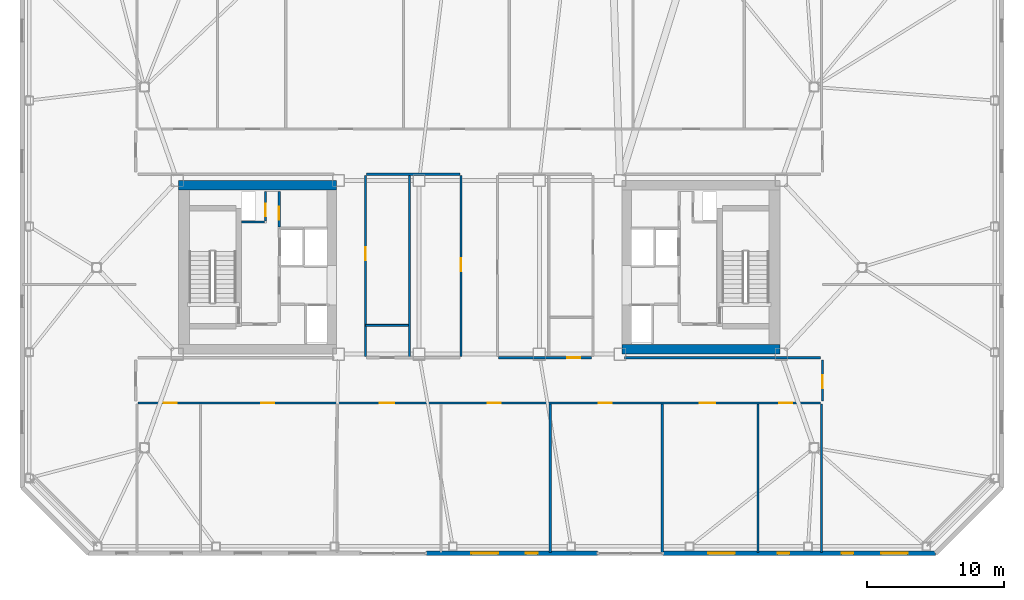
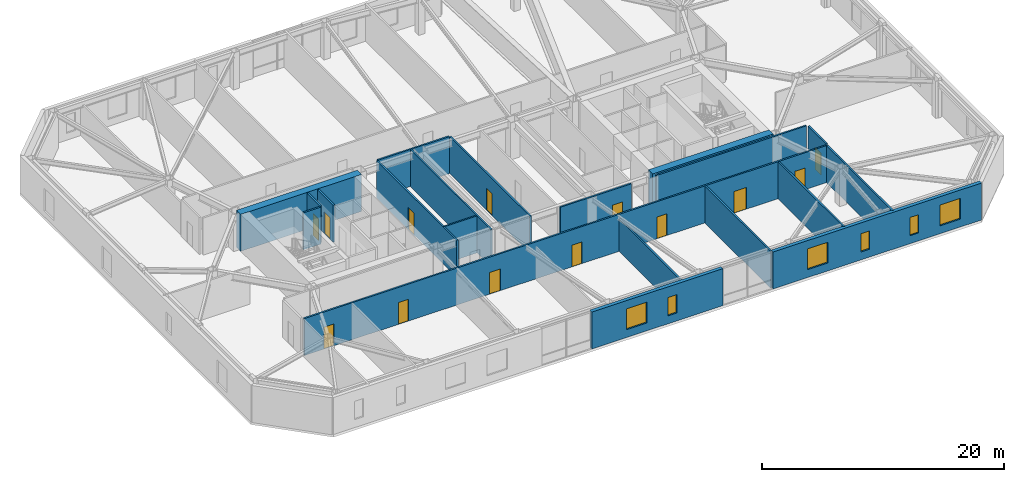
# One storey, part 13 of 20: 20 walls, 13 doors, 6 windows, 19 openings.
"""IFC4 building model written with IfcOpenShell, lengths in metres."""

from ifc_helpers import new_model, si_unit, direction, frame, frame_2d, origin, place, context, subcontext, project, spatial, rectangle, extrude, material, layer, layer_set, type_object, element, fill, save


model = new_model("IFC4")

# Units and contexts
model_context = context("Model", 3, precision=1e-05, world=origin(), true_north=direction((0.0, 1.0)))
body_context = subcontext(model_context, "Body", "Model", "MODEL_VIEW")
ifc_project = project(units=[si_unit("LENGTHUNIT", "METRE"), si_unit("AREAUNIT", "SQUARE_METRE"), si_unit("VOLUMEUNIT", "CUBIC_METRE"), si_unit("PLANEANGLEUNIT", "RADIAN"), si_unit("MASSUNIT", "GRAM", prefix="KILO")], contexts=[model_context])

# Site, building, storey
site_placement = place(None, origin())
site = spatial("IfcSite", under=ifc_project, at=site_placement, CompositionType="ELEMENT")
building_placement = place(site_placement, origin())
building = spatial("IfcBuilding", under=site, at=building_placement, Name="Tavrogorsk Clinical Tower", CompositionType="ELEMENT")
storey_placement = place(building_placement, frame((0.0, 0.0, 176.199951171875)))
storey = spatial("IfcBuildingStorey", under=building, at=storey_placement, Name="L40", CompositionType="ELEMENT", Elevation=176.199951171875)

# Wall, opening, door
ifc_material_1 = material(Name="Concrete B60", Category="concrete")
ifc_layer_1 = layer(ifc_material_1, 0.199951171875)
ifc_layer_set_1 = layer_set([ifc_layer_1], Name="Concrete B60")
wall_type_1 = type_object("IfcWallType", Name="CoreFireWall_200", PredefinedType="SOLIDWALL", material=ifc_layer_set_1)
wall_1_placement = place(storey_placement, frame((-14.639892578125, 2.9599609375, 0.0), z_axis=(0.0, 0.0, 1.0), x_axis=(0.0, 1.0, 0.0)))
wall_1 = element("IfcWall", 1, at=wall_1_placement, inside=storey, type_object=wall_type_1, Name="L40 Core West North Core Room East Wall", PredefinedType="SOLIDWALL", context=body_context, shape_type="SweptSolid", body=[
    extrude(rectangle(XDim=2.60009765625, YDim=0.199951171875, at=frame_2d((1.300048828125, 0.0))), origin(), (0.0, 0.0, 1.0), 3.739990234375),
])
opening_1_placement = place(wall_1_placement, frame((0.52001953125, 0.0, 0.0)))
opening_1 = element("IfcOpeningElement", 2, at=opening_1_placement, cuts=wall_1, Name="Opening ID-02", PredefinedType="OPENING", context=body_context, shape_type="SweptSolid", body=[
    extrude(rectangle(XDim=0.949951171875, YDim=2.199951171875, at=frame_2d((0.47509765625, 1.10009765625))), frame((0.0, 0.10986328125, 0.0), z_axis=(0.0, -1.0, 0.0), x_axis=(1.0, 0.0, 0.0)), (0.0, 0.0, 1.0), 0.219970703125),
])
ifc_material_2 = material(Name="Laminated timber leaf on aluminium frame", Category="wood")
door_type_1 = type_object("IfcDoorType", Name="InteriorDoor_ID02_950", OperationType="NOTDEFINED", PredefinedType="DOOR", material=ifc_material_2)
door_1_placement = place(opening_1_placement, origin())
door_1 = element("IfcDoor", 3, at=door_1_placement, inside=storey, type_object=door_type_1, Name="L40 Core West Core Telemetry Room Door", OperationType="SINGLE_SWING_LEFT", OverallHeight=2.199951171875, OverallWidth=0.949951171875, PredefinedType="DOOR", context=body_context, shape_type="SweptSolid", body=[
    extrude(rectangle(XDim=0.949951171875, YDim=2.199951171875, at=frame_2d((0.47509765625, 1.10009765625))), frame((0.0, 0.02490234375, 0.0), z_axis=(0.0, -1.0, 0.0), x_axis=(1.0, 0.0, 0.0)), (0.0, 0.0, 1.0), 0.050048828125),
])
fill(opening_1, door_1)

# Walls
ifc_material_3 = material(Name="Lightweight concrete blockwork B15", Category="masonry")
ifc_layer_2 = layer(ifc_material_3, 0.139892578125)
ifc_layer_set_2 = layer_set([ifc_layer_2], Name="Lightweight concrete blockwork B15")
wall_type_2 = type_object("IfcWallType", Name="PartitionWall_140", PredefinedType="PARTITIONING", material=ifc_layer_set_2)
wall_2_placement = place(storey_placement, frame((-5.10009765625, -6.614990234375, 0.0), z_axis=(0.0, 0.0, 1.0), x_axis=(0.0, 1.0, 0.0)))
element("IfcWall", 4, at=wall_2_placement, inside=storey, type_object=wall_type_2, Name="L40 Central Spine Partition 1", PredefinedType="PARTITIONING", context=body_context, shape_type="SweptSolid", body=[
    extrude(rectangle(XDim=13.429931640625, YDim=0.139892578125, at=frame_2d((6.71484375, 0.0))), origin(), (0.0, 0.0, 1.0), 3.739990234375),
])
wall_3_placement = place(storey_placement, frame((-8.31494140625, -4.25, 0.0), z_axis=(0.0, 0.0, 1.0), x_axis=(1.0, 0.0, 0.0)))
element("IfcWall", 5, at=wall_3_placement, inside=storey, type_object=wall_type_2, Name="L40 Central Spine Partition 3", PredefinedType="PARTITIONING", context=body_context, shape_type="SweptSolid", body=[
    extrude(rectangle(XDim=3.139892578125, YDim=0.139892578125, at=frame_2d((1.56982421875, 0.0))), origin(), (0.0, 0.0, 1.0), 3.739990234375),
])
ifc_material_4 = material(Name="Lightweight concrete blockwork B15", Category="masonry")
ifc_layer_3 = layer(ifc_material_4, 0.159912109375)
ifc_layer_set_3 = layer_set([ifc_layer_3], Name="Lightweight concrete blockwork B15")
wall_type_3 = type_object("IfcWallType", Name="PartitionWall_160", PredefinedType="PARTITIONING", material=ifc_layer_set_3)
wall_4_placement = place(storey_placement, frame((10.6298828125, -6.6201171875, 0.0), z_axis=(0.0, 0.0, 1.0), x_axis=(1.0, 0.0, 0.0)))
element("IfcWall", 6, at=wall_4_placement, inside=storey, type_object=wall_type_3, Name="L40 Corridor Partition 08", PredefinedType="PARTITIONING", context=body_context, shape_type="SweptSolid", body=[
    extrude(rectangle(XDim=14.335205078125, YDim=0.159912109375, at=frame_2d((7.16748046875, 0.0))), origin(), (0.0, 0.0, 1.0), 3.739990234375),
])

# Wall, opening, door
wall_5_placement = place(storey_placement, frame((25.1298828125, -6.784912109375, 0.0), z_axis=(0.0, 0.0, 1.0), x_axis=(0.0, -1.0, 0.0)))
wall_5 = element("IfcWall", 7, at=wall_5_placement, inside=storey, type_object=wall_type_3, Name="L40 Corridor Partition 09", PredefinedType="PARTITIONING", context=body_context, shape_type="SweptSolid", body=[
    extrude(rectangle(XDim=2.97998046875, YDim=0.159912109375, at=frame_2d((1.489990234375, 0.0))), origin(), (0.0, 0.0, 1.0), 3.739990234375),
])
opening_2_placement = place(wall_5_placement, frame((1.10009765625, 0.0, 0.0)))
opening_2 = element("IfcOpeningElement", 8, at=opening_2_placement, cuts=wall_5, Name="Opening ID-02", PredefinedType="OPENING", context=body_context, shape_type="SweptSolid", body=[
    extrude(rectangle(XDim=0.949951171875, YDim=2.199951171875, at=frame_2d((0.47509765625, 1.10009765625))), frame((0.0, 0.08984375, 0.0), z_axis=(0.0, -1.0, 0.0), x_axis=(1.0, 0.0, 0.0)), (0.0, 0.0, 1.0), 0.179931640625),
])
door_2_placement = place(opening_2_placement, origin())
door_2 = element("IfcDoor", 9, at=door_2_placement, inside=storey, type_object=door_type_1, Name="L40 E Senior Clinician Suite 1 Door", OperationType="SINGLE_SWING_LEFT", OverallHeight=2.199951171875, OverallWidth=0.949951171875, PredefinedType="DOOR", context=body_context, shape_type="SweptSolid", body=[
    extrude(rectangle(XDim=0.949951171875, YDim=2.199951171875, at=frame_2d((0.47509765625, 1.10009765625))), frame((0.0, 0.02490234375, 0.0), z_axis=(0.0, -1.0, 0.0), x_axis=(1.0, 0.0, 0.0)), (0.0, 0.0, 1.0), 0.050048828125),
])
fill(opening_2, door_2)

# Wall, openings, doors
wall_6_placement = place(storey_placement, frame((24.965087890625, -9.929931640625, 0.0), z_axis=(0.0, 0.0, 1.0), x_axis=(-1.0, 0.0, 0.0)))
wall_6 = element("IfcWall", 10, at=wall_6_placement, inside=storey, type_object=wall_type_3, Name="L40 Corridor Partition 10", PredefinedType="PARTITIONING", context=body_context, shape_type="SweptSolid", body=[
    extrude(rectangle(XDim=49.93017578125, YDim=0.159912109375, at=frame_2d((24.965087890625, 0.0))), origin(), (0.0, 0.0, 1.0), 3.739990234375),
])
opening_3_placement = place(wall_6_placement, frame((47.10595703125, 0.0, 0.0)))
opening_3 = element("IfcOpeningElement", 11, at=opening_3_placement, cuts=wall_6, Name="Opening ID-02", PredefinedType="OPENING", context=body_context, shape_type="SweptSolid", body=[
    extrude(rectangle(XDim=0.949951171875, YDim=2.199951171875, at=frame_2d((0.47509765625, 1.10009765625))), frame((0.0, 0.08984375, 0.0), z_axis=(0.0, -1.0, 0.0), x_axis=(1.0, 0.0, 0.0)), (0.0, 0.0, 1.0), 0.179931640625),
])
opening_4_placement = place(wall_6_placement, frame((39.97509765625, 0.0, 0.0)))
opening_4 = element("IfcOpeningElement", 12, at=opening_4_placement, cuts=wall_6, Name="Opening ID-02", PredefinedType="OPENING", context=body_context, shape_type="SweptSolid", body=[
    extrude(rectangle(XDim=0.949951171875, YDim=2.199951171875, at=frame_2d((0.47509765625, 1.10009765625))), frame((0.0, 0.08984375, 0.0), z_axis=(0.0, -1.0, 0.0), x_axis=(1.0, 0.0, 0.0)), (0.0, 0.0, 1.0), 0.179931640625),
])
opening_5_placement = place(wall_6_placement, frame((31.175048828125, 0.0, 0.0)))
opening_5 = element("IfcOpeningElement", 13, at=opening_5_placement, cuts=wall_6, Name="Opening ID-04", PredefinedType="OPENING", context=body_context, shape_type="SweptSolid", body=[
    extrude(rectangle(XDim=1.050048828125, YDim=2.199951171875, at=frame_2d((0.52490234375, 1.10009765625))), frame((0.0, 0.08984375, 0.0), z_axis=(0.0, -1.0, 0.0), x_axis=(1.0, 0.0, 0.0)), (0.0, 0.0, 1.0), 0.179931640625),
])
opening_6_placement = place(wall_6_placement, frame((23.375, 0.0, 0.0)))
opening_6 = element("IfcOpeningElement", 14, at=opening_6_placement, cuts=wall_6, Name="Opening ID-02", PredefinedType="OPENING", context=body_context, shape_type="SweptSolid", body=[
    extrude(rectangle(XDim=0.949951171875, YDim=2.199951171875, at=frame_2d((0.47509765625, 1.10009765625))), frame((0.0, 0.08984375, 0.0), z_axis=(0.0, -1.0, 0.0), x_axis=(1.0, 0.0, 0.0)), (0.0, 0.0, 1.0), 0.179931640625),
])
opening_7_placement = place(wall_6_placement, frame((15.27490234375, 0.0, 0.0)))
opening_7 = element("IfcOpeningElement", 15, at=opening_7_placement, cuts=wall_6, Name="Opening ID-02", PredefinedType="OPENING", context=body_context, shape_type="SweptSolid", body=[
    extrude(rectangle(XDim=0.949951171875, YDim=2.199951171875, at=frame_2d((0.47509765625, 1.10009765625))), frame((0.0, 0.08984375, 0.0), z_axis=(0.0, -1.0, 0.0), x_axis=(1.0, 0.0, 0.0)), (0.0, 0.0, 1.0), 0.179931640625),
])
opening_8_placement = place(wall_6_placement, frame((7.675048828125, 0.0, 0.0)))
opening_8 = element("IfcOpeningElement", 16, at=opening_8_placement, cuts=wall_6, Name="Opening ID-06", PredefinedType="OPENING", context=body_context, shape_type="SweptSolid", body=[
    extrude(rectangle(XDim=1.14990234375, YDim=2.199951171875, at=frame_2d((0.574951171875, 1.10009765625))), frame((0.0, 0.08984375, 0.0), z_axis=(0.0, -1.0, 0.0), x_axis=(1.0, 0.0, 0.0)), (0.0, 0.0, 1.0), 0.179931640625),
])
opening_9_placement = place(wall_6_placement, frame((2.044189453125, 0.0, 0.0)))
opening_9 = element("IfcOpeningElement", 17, at=opening_9_placement, cuts=wall_6, Name="Opening ID-02", PredefinedType="OPENING", context=body_context, shape_type="SweptSolid", body=[
    extrude(rectangle(XDim=0.949951171875, YDim=2.199951171875, at=frame_2d((0.47509765625, 1.10009765625))), frame((0.0, 0.08984375, 0.0), z_axis=(0.0, -1.0, 0.0), x_axis=(1.0, 0.0, 0.0)), (0.0, 0.0, 1.0), 0.179931640625),
])
ifc_material_5 = material(Name="Antibacterial HPL consultation door on aluminium frame", Category="aluminium")
door_type_2 = type_object("IfcDoorType", Name="ConsultDoor_ID04_1050", OperationType="NOTDEFINED", PredefinedType="DOOR", material=ifc_material_5)
door_3_placement = place(opening_5_placement, origin())
door_3 = element("IfcDoor", 18, at=door_3_placement, inside=storey, type_object=door_type_2, Name="L40 South Rehabilitation Case Seminar Room 03 Door", OperationType="SINGLE_SWING_RIGHT", OverallHeight=2.199951171875, OverallWidth=1.050048828125, PredefinedType="DOOR", context=body_context, shape_type="SweptSolid", body=[
    extrude(rectangle(XDim=1.050048828125, YDim=2.199951171875, at=frame_2d((0.52490234375, 1.10009765625))), frame((0.0, 0.02490234375, 0.0), z_axis=(0.0, -1.0, 0.0), x_axis=(1.0, 0.0, 0.0)), (0.0, 0.0, 1.0), 0.050048828125),
])
fill(opening_5, door_3)
door_4_placement = place(opening_3_placement, origin())
door_4 = element("IfcDoor", 19, at=door_4_placement, inside=storey, type_object=door_type_1, Name="L40 South Rehabilitation Case Seminar Room 01 Door", OperationType="SINGLE_SWING_RIGHT", OverallHeight=2.199951171875, OverallWidth=0.949951171875, PredefinedType="DOOR", context=body_context, shape_type="SweptSolid", body=[
    extrude(rectangle(XDim=0.949951171875, YDim=2.199951171875, at=frame_2d((0.47509765625, 1.10009765625))), frame((0.0, 0.02490234375, 0.0), z_axis=(0.0, -1.0, 0.0), x_axis=(1.0, 0.0, 0.0)), (0.0, 0.0, 1.0), 0.050048828125),
])
fill(opening_3, door_4)
door_5_placement = place(opening_4_placement, origin())
door_5 = element("IfcDoor", 20, at=door_5_placement, inside=storey, type_object=door_type_1, Name="L40 South Speech & Occupational Therapy Office 02 Door", OperationType="SINGLE_SWING_LEFT", OverallHeight=2.199951171875, OverallWidth=0.949951171875, PredefinedType="DOOR", context=body_context, shape_type="SweptSolid", body=[
    extrude(rectangle(XDim=0.949951171875, YDim=2.199951171875, at=frame_2d((0.47509765625, 1.10009765625))), frame((0.0, 0.02490234375, 0.0), z_axis=(0.0, -1.0, 0.0), x_axis=(1.0, 0.0, 0.0)), (0.0, 0.0, 1.0), 0.050048828125),
])
fill(opening_4, door_5)
door_6_placement = place(opening_6_placement, origin())
door_6 = element("IfcDoor", 21, at=door_6_placement, inside=storey, type_object=door_type_1, Name="L40 South Speech & Occupational Therapy Office 04 Door", OperationType="SINGLE_SWING_LEFT", OverallHeight=2.199951171875, OverallWidth=0.949951171875, PredefinedType="DOOR", context=body_context, shape_type="SweptSolid", body=[
    extrude(rectangle(XDim=0.949951171875, YDim=2.199951171875, at=frame_2d((0.47509765625, 1.10009765625))), frame((0.0, 0.02490234375, 0.0), z_axis=(0.0, -1.0, 0.0), x_axis=(1.0, 0.0, 0.0)), (0.0, 0.0, 1.0), 0.050048828125),
])
fill(opening_6, door_6)
door_7_placement = place(opening_7_placement, origin())
door_7 = element("IfcDoor", 22, at=door_7_placement, inside=storey, type_object=door_type_1, Name="L40 South Rehabilitation Case Seminar Room 05 Door", OperationType="SINGLE_SWING_RIGHT", OverallHeight=2.199951171875, OverallWidth=0.949951171875, PredefinedType="DOOR", context=body_context, shape_type="SweptSolid", body=[
    extrude(rectangle(XDim=0.949951171875, YDim=2.199951171875, at=frame_2d((0.47509765625, 1.10009765625))), frame((0.0, 0.02490234375, 0.0), z_axis=(0.0, -1.0, 0.0), x_axis=(1.0, 0.0, 0.0)), (0.0, 0.0, 1.0), 0.050048828125),
])
fill(opening_7, door_7)
door_8_placement = place(opening_9_placement, origin())
door_8 = element("IfcDoor", 23, at=door_8_placement, inside=storey, type_object=door_type_1, Name="L40 South Rehabilitation Case Seminar Room 07 Door", OperationType="SINGLE_SWING_RIGHT", OverallHeight=2.199951171875, OverallWidth=0.949951171875, PredefinedType="DOOR", context=body_context, shape_type="SweptSolid", body=[
    extrude(rectangle(XDim=0.949951171875, YDim=2.199951171875, at=frame_2d((0.47509765625, 1.10009765625))), frame((0.0, 0.02490234375, 0.0), z_axis=(0.0, -1.0, 0.0), x_axis=(1.0, 0.0, 0.0)), (0.0, 0.0, 1.0), 0.050048828125),
])
fill(opening_9, door_8)
ifc_material_6 = material(Name="Antibacterial HPL procedure door on aluminium frame", Category="aluminium")
door_type_3 = type_object("IfcDoorType", Name="LabDoor_ID06_1150", OperationType="NOTDEFINED", PredefinedType="DOOR", material=ifc_material_6)
door_9_placement = place(opening_8_placement, origin())
door_9 = element("IfcDoor", 24, at=door_9_placement, inside=storey, type_object=door_type_3, Name="L40 South Speech & Occupational Therapy Office 06 Door", OperationType="SINGLE_SWING_LEFT", OverallHeight=2.199951171875, OverallWidth=1.14990234375, PredefinedType="DOOR", context=body_context, shape_type="SweptSolid", body=[
    extrude(rectangle(XDim=1.14990234375, YDim=2.199951171875, at=frame_2d((0.574951171875, 1.10009765625))), frame((0.0, 0.02490234375, 0.0), z_axis=(0.0, -1.0, 0.0), x_axis=(1.0, 0.0, 0.0)), (0.0, 0.0, 1.0), 0.050048828125),
])
fill(opening_8, door_9)

# Wall, opening, door
wall_7_placement = place(storey_placement, frame((1.4150390625, -6.6201171875, 0.0), z_axis=(0.0, 0.0, 1.0), x_axis=(1.0, 0.0, 0.0)))
wall_7 = element("IfcWall", 25, at=wall_7_placement, inside=storey, type_object=wall_type_3, Name="L40 Corridor Partition 13", PredefinedType="PARTITIONING", context=body_context, shape_type="SweptSolid", body=[
    extrude(rectangle(XDim=6.820068359375, YDim=0.159912109375, at=frame_2d((3.41015625, 0.0))), origin(), (0.0, 0.0, 1.0), 3.739990234375),
])
opening_10_placement = place(wall_7_placement, frame((5.010986328125, 0.0, 0.0)))
opening_10 = element("IfcOpeningElement", 26, at=opening_10_placement, cuts=wall_7, Name="Opening ID-02", PredefinedType="OPENING", context=body_context, shape_type="SweptSolid", body=[
    extrude(rectangle(XDim=0.949951171875, YDim=2.199951171875, at=frame_2d((0.47509765625, 1.10009765625))), frame((0.0, 0.08984375, 0.0), z_axis=(0.0, -1.0, 0.0), x_axis=(1.0, 0.0, 0.0)), (0.0, 0.0, 1.0), 0.179931640625),
])
door_10_placement = place(opening_10_placement, origin())
door_10 = element("IfcDoor", 27, at=door_10_placement, inside=storey, type_object=door_type_1, Name="L40 Staff & Visitor Accessible WC Door", OperationType="SINGLE_SWING_LEFT", OverallHeight=2.199951171875, OverallWidth=0.949951171875, PredefinedType="DOOR", context=body_context, shape_type="SweptSolid", body=[
    extrude(rectangle(XDim=0.949951171875, YDim=2.199951171875, at=frame_2d((0.47509765625, 1.10009765625))), frame((0.0, 0.02490234375, 0.0), z_axis=(0.0, -1.0, 0.0), x_axis=(1.0, 0.0, 0.0)), (0.0, 0.0, 1.0), 0.050048828125),
])
fill(opening_10, door_10)

wall_8_placement = place(storey_placement, frame((-1.330078125, -6.534912109375, 0.0), z_axis=(0.0, 0.0, 1.0), x_axis=(0.0, 1.0, 0.0)))
wall_8 = element("IfcWall", 28, at=wall_8_placement, inside=storey, type_object=wall_type_3, Name="L40 Corridor Partition 15", PredefinedType="PARTITIONING", context=body_context, shape_type="SweptSolid", body=[
    extrude(rectangle(XDim=13.27001953125, YDim=0.159912109375, at=frame_2d((6.635009765625, 0.0))), origin(), (0.0, 0.0, 1.0), 3.739990234375),
])
opening_11_placement = place(wall_8_placement, frame((6.2451171875, 0.0, 0.0)))
opening_11 = element("IfcOpeningElement", 29, at=opening_11_placement, cuts=wall_8, Name="Opening ID-02", PredefinedType="OPENING", context=body_context, shape_type="SweptSolid", body=[
    extrude(rectangle(XDim=0.949951171875, YDim=2.199951171875, at=frame_2d((0.47509765625, 1.10009765625))), frame((0.0, 0.08984375, 0.0), z_axis=(0.0, -1.0, 0.0), x_axis=(1.0, 0.0, 0.0)), (0.0, 0.0, 1.0), 0.179931640625),
])
door_11_placement = place(opening_11_placement, origin())
door_11 = element("IfcDoor", 30, at=door_11_placement, inside=storey, type_object=door_type_1, Name="L40 Nurses' Station & Telemetry Hub Door", OperationType="SINGLE_SWING_LEFT", OverallHeight=2.199951171875, OverallWidth=0.949951171875, PredefinedType="DOOR", context=body_context, shape_type="SweptSolid", body=[
    extrude(rectangle(XDim=0.949951171875, YDim=2.199951171875, at=frame_2d((0.47509765625, 1.10009765625))), frame((0.0, 0.02490234375, 0.0), z_axis=(0.0, -1.0, 0.0), x_axis=(1.0, 0.0, 0.0)), (0.0, 0.0, 1.0), 0.050048828125),
])
fill(opening_11, door_11)

# Wall
wall_9_placement = place(storey_placement, frame((-1.4150390625, 6.820068359375, 0.0), z_axis=(0.0, 0.0, 1.0), x_axis=(-1.0, 0.0, 0.0)))
element("IfcWall", 31, at=wall_9_placement, inside=storey, type_object=wall_type_3, Name="L40 Corridor Partition 16", PredefinedType="PARTITIONING", context=body_context, shape_type="SweptSolid", body=[
    extrude(rectangle(XDim=6.820068359375, YDim=0.159912109375, at=frame_2d((3.41015625, 0.0))), origin(), (0.0, 0.0, 1.0), 3.739990234375),
])

# Wall, opening, door
wall_10_placement = place(storey_placement, frame((-8.320068359375, 6.735107421875, 0.0), z_axis=(0.0, 0.0, 1.0), x_axis=(0.0, -1.0, 0.0)))
wall_10 = element("IfcWall", 32, at=wall_10_placement, inside=storey, type_object=wall_type_3, Name="L40 Corridor Partition 17", PredefinedType="PARTITIONING", context=body_context, shape_type="SweptSolid", body=[
    extrude(rectangle(XDim=13.27001953125, YDim=0.159912109375, at=frame_2d((6.635009765625, 0.0))), origin(), (0.0, 0.0, 1.0), 3.739990234375),
])
opening_12_placement = place(wall_10_placement, frame((5.254150390625, 0.0, 0.0)))
opening_12 = element("IfcOpeningElement", 33, at=opening_12_placement, cuts=wall_10, Name="Opening ID-02", PredefinedType="OPENING", context=body_context, shape_type="SweptSolid", body=[
    extrude(rectangle(XDim=0.949951171875, YDim=2.199951171875, at=frame_2d((0.47509765625, 1.10009765625))), frame((0.0, 0.08984375, 0.0), z_axis=(0.0, -1.0, 0.0), x_axis=(1.0, 0.0, 0.0)), (0.0, 0.0, 1.0), 0.179931640625),
])
door_12_placement = place(opening_12_placement, origin())
door_12 = element("IfcDoor", 34, at=door_12_placement, inside=storey, type_object=door_type_1, Name="L40 Ward Nourishment Pantry Door", OperationType="SINGLE_SWING_RIGHT", OverallHeight=2.199951171875, OverallWidth=0.949951171875, PredefinedType="DOOR", context=body_context, shape_type="SweptSolid", body=[
    extrude(rectangle(XDim=0.949951171875, YDim=2.199951171875, at=frame_2d((0.47509765625, 1.10009765625))), frame((0.0, 0.02490234375, 0.0), z_axis=(0.0, -1.0, 0.0), x_axis=(1.0, 0.0, 0.0)), (0.0, 0.0, 1.0), 0.050048828125),
])
fill(opening_12, door_12)

# Walls
wall_11_placement = place(storey_placement, frame((25.050048828125, -20.860107421875, 0.0), z_axis=(0.0, 0.0, 1.0), x_axis=(0.0, 1.0, 0.0)))
element("IfcWall", 35, at=wall_11_placement, inside=storey, type_object=wall_type_3, Name="L40 SE Wing Closure Partition", PredefinedType="PARTITIONING", context=body_context, shape_type="SweptSolid", body=[
    extrude(rectangle(XDim=10.84521484375, YDim=0.159912109375, at=frame_2d((5.422607421875, 0.0))), origin(), (0.0, 0.0, 1.0), 3.739990234375),
])
wall_12_placement = place(storey_placement, frame((5.199951171875, -20.860107421875, 0.0), z_axis=(0.0, 0.0, 1.0), x_axis=(0.0, 1.0, 0.0)))
element("IfcWall", 36, at=wall_12_placement, inside=storey, type_object=wall_type_3, Name="L40 South Room Partition 4", PredefinedType="PARTITIONING", context=body_context, shape_type="SweptSolid", body=[
    extrude(rectangle(XDim=10.84521484375, YDim=0.159912109375, at=frame_2d((5.422607421875, 0.0))), origin(), (0.0, 0.0, 1.0), 3.28515625),
])
for number, where, z_axis, x_axis, name in (
    (37, (13.39990234375, -20.860107421875, 0.0), (0.0, 0.0, 1.0), (0.0, 1.0, 0.0), "L40 South Room Partition 5"),
    (38, (20.39990234375, -20.860107421875, 0.0), (0.0, 0.0, 1.0), (0.0, 1.0, 0.0), "L40 South Room Partition 6"),
):
    element("IfcWall", number, at=place(storey_placement, frame(where, z_axis=z_axis, x_axis=x_axis)), inside=storey, type_object=wall_type_3, Name=name, PredefinedType="PARTITIONING", context=body_context, shape_type="SweptSolid", body=[
        extrude(rectangle(XDim=10.84521484375, YDim=0.159912109375, at=frame_2d((5.422607421875, 0.0))), origin(), (0.0, 0.0, 1.0), 3.739990234375),
    ])

# Wall, openings, windows
ifc_material_7 = material(Name="Precast concrete B45 with limestone cladding", Category="masonry")
ifc_layer_4 = layer(ifc_material_7, 0.340087890625)
ifc_layer_set_4 = layer_set([ifc_layer_4], Name="Precast concrete B45 with limestone cladding")
wall_type_4 = type_object("IfcWallType", Name="PrecastLimestoneWall_340", PredefinedType="STANDARD", material=ifc_layer_set_4)
wall_13_placement = place(storey_placement, frame((-3.86279296875, -20.929931640625, 0.0), z_axis=(0.0, 0.0, 1.0), x_axis=(1.0, 0.0, 0.0)))
wall_13 = element("IfcWall", 39, at=wall_13_placement, inside=storey, type_object=wall_type_4, Name="L40 S Limestone Facade Wall 2", PredefinedType="STANDARD", context=body_context, shape_type="SweptSolid", body=[
    extrude(rectangle(XDim=12.525634765625, YDim=0.340087890625, at=frame_2d((6.2626953125, 0.0))), origin(), (0.0, 0.0, 1.0), 3.739990234375),
])
opening_13_placement = place(wall_13_placement, frame((3.29541015625, 0.0, 0.800048828125)))
opening_13 = element("IfcOpeningElement", 40, at=opening_13_placement, cuts=wall_13, Name="Opening WN-13", PredefinedType="OPENING", context=body_context, shape_type="SweptSolid", body=[
    extrude(rectangle(XDim=1.949951171875, YDim=2.10009765625, at=frame_2d((0.97509765625, 1.050048828125))), frame((0.0, 0.179931640625, 0.0), z_axis=(0.0, -1.0, 0.0), x_axis=(1.0, 0.0, 0.0)), (0.0, 0.0, 1.0), 0.360107421875),
])
opening_14_placement = place(wall_13_placement, frame((7.2802734375, 0.0, 0.800048828125)))
opening_14 = element("IfcOpeningElement", 41, at=opening_14_placement, cuts=wall_13, Name="Opening WN-06", PredefinedType="OPENING", context=body_context, shape_type="SweptSolid", body=[
    extrude(rectangle(XDim=0.85009765625, YDim=1.85009765625, at=frame_2d((0.425048828125, 0.925048828125))), frame((0.0, 0.179931640625, 0.0), z_axis=(0.0, -1.0, 0.0), x_axis=(1.0, 0.0, 0.0)), (0.0, 0.0, 1.0), 0.360107421875),
])
ifc_material_8 = material(Name="Thermally broken aluminium frame and triple IGU", Category="aluminium")
window_type_1 = type_object("IfcWindowType", Name="ExamRoomWin_1950x2100", PartitioningType="DOUBLE_PANEL_VERTICAL", PredefinedType="WINDOW", material=ifc_material_8)
window_1_placement = place(opening_13_placement, origin())
window_1 = element("IfcWindow", 42, at=window_1_placement, inside=storey, type_object=window_type_1, Name="L40 S Chicago Window 05", OverallHeight=2.10009765625, OverallWidth=1.949951171875, PartitioningType="SINGLE_PANEL", PredefinedType="WINDOW", context=body_context, shape_type="SweptSolid", body=[
    extrude(rectangle(XDim=1.949951171875, YDim=2.10009765625, at=frame_2d((0.97509765625, 1.050048828125))), frame((0.0, 0.030029296875, 0.0), z_axis=(0.0, -1.0, 0.0), x_axis=(1.0, 0.0, 0.0)), (0.0, 0.0, 1.0), 0.06005859375),
])
fill(opening_13, window_1)
ifc_material_9 = material(Name="Thermally broken aluminium frame and triple IGU", Category="aluminium")
window_type_2 = type_object("IfcWindowType", Name="MullionSubWin_850x1850", PartitioningType="SINGLE_PANEL", PredefinedType="WINDOW", material=ifc_material_9)
window_2_placement = place(opening_14_placement, origin())
window_2 = element("IfcWindow", 43, at=window_2_placement, inside=storey, type_object=window_type_2, Name="L40 S Mullion Split Window 06A", OverallHeight=1.85009765625, OverallWidth=0.85009765625, PartitioningType="SINGLE_PANEL", PredefinedType="WINDOW", context=body_context, shape_type="SweptSolid", body=[
    extrude(rectangle(XDim=0.85009765625, YDim=1.85009765625, at=frame_2d((0.425048828125, 0.925048828125))), frame((0.0, 0.030029296875, 0.0), z_axis=(0.0, -1.0, 0.0), x_axis=(1.0, 0.0, 0.0)), (0.0, 0.0, 1.0), 0.06005859375),
])
fill(opening_14, window_2)

wall_14_placement = place(storey_placement, frame((13.462890625, -20.929931640625, 0.0), z_axis=(0.0, 0.0, 1.0), x_axis=(1.0, 0.0, 0.0)))
wall_14 = element("IfcWall", 44, at=wall_14_placement, inside=storey, type_object=wall_type_4, Name="L40 S Limestone Facade Wall 3", PredefinedType="STANDARD", context=body_context, shape_type="SweptSolid", body=[
    extrude(rectangle(XDim=19.93701171875, YDim=0.340087890625, at=frame_2d((9.968505859375, 0.0))), origin(), (0.0, 0.0, 1.0), 3.739990234375),
])
opening_15_placement = place(wall_14_placement, frame((3.29541015625, 0.0, 0.800048828125)))
opening_15 = element("IfcOpeningElement", 45, at=opening_15_placement, cuts=wall_14, Name="Opening WN-13", PredefinedType="OPENING", context=body_context, shape_type="SweptSolid", body=[
    extrude(rectangle(XDim=1.949951171875, YDim=2.10009765625, at=frame_2d((0.97509765625, 1.050048828125))), frame((0.0, 0.179931640625, 0.0), z_axis=(0.0, -1.0, 0.0), x_axis=(1.0, 0.0, 0.0)), (0.0, 0.0, 1.0), 0.360107421875),
])
opening_16_placement = place(wall_14_placement, frame((8.38037109375, 0.0, 0.800048828125)))
opening_16 = element("IfcOpeningElement", 46, at=opening_16_placement, cuts=wall_14, Name="Opening WN-06", PredefinedType="OPENING", context=body_context, shape_type="SweptSolid", body=[
    extrude(rectangle(XDim=0.85009765625, YDim=1.85009765625, at=frame_2d((0.425048828125, 0.925048828125))), frame((0.0, 0.179931640625, 0.0), z_axis=(0.0, -1.0, 0.0), x_axis=(1.0, 0.0, 0.0)), (0.0, 0.0, 1.0), 0.360107421875),
])
opening_17_placement = place(wall_14_placement, frame((13.058349609375, 0.0, 0.800048828125)))
opening_17 = element("IfcOpeningElement", 47, at=opening_17_placement, cuts=wall_14, Name="Opening WN-06", PredefinedType="OPENING", context=body_context, shape_type="SweptSolid", body=[
    extrude(rectangle(XDim=0.85009765625, YDim=1.85009765625, at=frame_2d((0.425048828125, 0.925048828125))), frame((0.0, 0.179931640625, 0.0), z_axis=(0.0, -1.0, 0.0), x_axis=(1.0, 0.0, 0.0)), (0.0, 0.0, 1.0), 0.360107421875),
])
opening_18_placement = place(wall_14_placement, frame((15.943115234375, 0.0, 0.800048828125)))
opening_18 = element("IfcOpeningElement", 48, at=opening_18_placement, cuts=wall_14, Name="Opening WN-13", PredefinedType="OPENING", context=body_context, shape_type="SweptSolid", body=[
    extrude(rectangle(XDim=1.949951171875, YDim=2.10009765625, at=frame_2d((0.97509765625, 1.050048828125))), frame((0.0, 0.179931640625, 0.0), z_axis=(0.0, -1.0, 0.0), x_axis=(1.0, 0.0, 0.0)), (0.0, 0.0, 1.0), 0.360107421875),
])
window_3_placement = place(opening_15_placement, origin())
window_3 = element("IfcWindow", 49, at=window_3_placement, inside=storey, type_object=window_type_1, Name="L40 S Chicago Window 07", OverallHeight=2.10009765625, OverallWidth=1.949951171875, PartitioningType="SINGLE_PANEL", PredefinedType="WINDOW", context=body_context, shape_type="SweptSolid", body=[
    extrude(rectangle(XDim=1.949951171875, YDim=2.10009765625, at=frame_2d((0.97509765625, 1.050048828125))), frame((0.0, 0.030029296875, 0.0), z_axis=(0.0, -1.0, 0.0), x_axis=(1.0, 0.0, 0.0)), (0.0, 0.0, 1.0), 0.06005859375),
])
fill(opening_15, window_3)
window_4_placement = place(opening_18_placement, origin())
window_4 = element("IfcWindow", 50, at=window_4_placement, inside=storey, type_object=window_type_1, Name="L40 S Chicago Window 10", OverallHeight=2.10009765625, OverallWidth=1.949951171875, PartitioningType="SINGLE_PANEL", PredefinedType="WINDOW", context=body_context, shape_type="SweptSolid", body=[
    extrude(rectangle(XDim=1.949951171875, YDim=2.10009765625, at=frame_2d((0.97509765625, 1.050048828125))), frame((0.0, 0.030029296875, 0.0), z_axis=(0.0, -1.0, 0.0), x_axis=(1.0, 0.0, 0.0)), (0.0, 0.0, 1.0), 0.06005859375),
])
fill(opening_18, window_4)
window_5_placement = place(opening_16_placement, origin())
window_5 = element("IfcWindow", 51, at=window_5_placement, inside=storey, type_object=window_type_2, Name="L40 S Mullion Split Window 08B", OverallHeight=1.85009765625, OverallWidth=0.85009765625, PartitioningType="SINGLE_PANEL", PredefinedType="WINDOW", context=body_context, shape_type="SweptSolid", body=[
    extrude(rectangle(XDim=0.85009765625, YDim=1.85009765625, at=frame_2d((0.425048828125, 0.925048828125))), frame((0.0, 0.030029296875, 0.0), z_axis=(0.0, -1.0, 0.0), x_axis=(1.0, 0.0, 0.0)), (0.0, 0.0, 1.0), 0.06005859375),
])
fill(opening_16, window_5)
window_6_placement = place(opening_17_placement, origin())
window_6 = element("IfcWindow", 52, at=window_6_placement, inside=storey, type_object=window_type_2, Name="L40 S Mullion Split Window 09B", OverallHeight=1.85009765625, OverallWidth=0.85009765625, PartitioningType="SINGLE_PANEL", PredefinedType="WINDOW", context=body_context, shape_type="SweptSolid", body=[
    extrude(rectangle(XDim=0.85009765625, YDim=1.85009765625, at=frame_2d((0.425048828125, 0.925048828125))), frame((0.0, 0.030029296875, 0.0), z_axis=(0.0, -1.0, 0.0), x_axis=(1.0, 0.0, 0.0)), (0.0, 0.0, 1.0), 0.06005859375),
])
fill(opening_17, window_6)

# Wall, opening, door
ifc_material_10 = material(Name="Lightweight concrete blockwork B25", Category="masonry")
ifc_layer_5 = layer(ifc_material_10, 0.159912109375)
ifc_layer_set_5 = layer_set([ifc_layer_5], Name="Lightweight concrete blockwork B25")
wall_type_5 = type_object("IfcWallType", Name="ShaftWall_160", PredefinedType="PARTITIONING", material=ifc_layer_set_5)
wall_15_placement = place(storey_placement, frame((-15.639892578125, 3.405029296875, 0.0), z_axis=(0.0, 0.0, 1.0), x_axis=(0.0, 1.0, 0.0)))
wall_15 = element("IfcWall", 53, at=wall_15_placement, inside=storey, type_object=wall_type_5, Name="L40 Core West Riser West Wall", PredefinedType="PARTITIONING", context=body_context, shape_type="SweptSolid", body=[
    extrude(rectangle(XDim=2.155029296875, YDim=0.159912109375, at=frame_2d((1.07763671875, 0.0))), origin(), (0.0, 0.0, 1.0), 3.739990234375),
])
opening_19_placement = place(wall_15_placement, frame((0.35009765625, 0.0, 0.0)))
opening_19 = element("IfcOpeningElement", 54, at=opening_19_placement, cuts=wall_15, Name="Opening FD-02", PredefinedType="OPENING", context=body_context, shape_type="SweptSolid", body=[
    extrude(rectangle(XDim=0.89990234375, YDim=2.199951171875, at=frame_2d((0.449951171875, 1.10009765625))), frame((0.0, 0.08984375, 0.0), z_axis=(0.0, -1.0, 0.0), x_axis=(1.0, 0.0, 0.0)), (0.0, 0.0, 1.0), 0.179931640625),
])
ifc_material_11 = material(Name="Galvanised steel fire-rated door assembly", Category="steel")
door_type_4 = type_object("IfcDoorType", Name="FireDoor_FD02_900", OperationType="NOTDEFINED", PredefinedType="DOOR", material=ifc_material_11)
door_13_placement = place(opening_19_placement, origin())
door_13 = element("IfcDoor", 55, at=door_13_placement, inside=storey, type_object=door_type_4, Name="L40 Core West Electrical Riser Access Door", OperationType="SINGLE_SWING_LEFT", OverallHeight=2.199951171875, OverallWidth=0.89990234375, PredefinedType="DOOR", context=body_context, shape_type="SweptSolid", body=[
    extrude(rectangle(XDim=0.89990234375, YDim=2.199951171875, at=frame_2d((0.449951171875, 1.10009765625))), frame((0.0, 0.02490234375, 0.0), z_axis=(0.0, -1.0, 0.0), x_axis=(1.0, 0.0, 0.0)), (0.0, 0.0, 1.0), 0.050048828125),
])
fill(opening_19, door_13)

# Walls
wall_16_placement = place(storey_placement, frame((-17.3798828125, 3.320068359375, 0.0), z_axis=(0.0, 0.0, 1.0), x_axis=(1.0, 0.0, 0.0)))
element("IfcWall", 56, at=wall_16_placement, inside=storey, type_object=wall_type_5, Name="L40 Core West Riser South Wall", PredefinedType="PARTITIONING", context=body_context, shape_type="SweptSolid", body=[
    extrude(rectangle(XDim=1.65478515625, YDim=0.159912109375, at=frame_2d((0.827392578125, 0.0))), origin(), (0.0, 0.0, 1.0), 3.739990234375),
])
ifc_material_12 = material(Name="Concrete B80", Category="concrete")
ifc_layer_6 = layer(ifc_material_12, 0.699951171875)
ifc_layer_set_6 = layer_set([ifc_layer_6], Name="Concrete B80")
wall_type_6 = type_object("IfcWallType", Name="ShearWall_700", PredefinedType="SHEAR", material=ifc_layer_set_6)
for number, where, z_axis, x_axis, name in (
    (57, (-22.0, 6.0, 0.0), (0.0, 0.0, 1.0), (1.0, 0.0, 0.0), "L40 Core West North Shear Wall"),
    (58, (10.449951171875, -6.0, 0.0), (0.0, 0.0, 1.0), (1.0, 0.0, 0.0), "L40 Core East South Shear Wall"),
):
    element("IfcWall", number, at=place(storey_placement, frame(where, z_axis=z_axis, x_axis=x_axis)), inside=storey, type_object=wall_type_6, Name=name, PredefinedType="SHEAR", context=body_context, shape_type="SweptSolid", body=[
        extrude(rectangle(XDim=11.550048828125, YDim=0.699951171875, at=frame_2d((5.77490234375, 0.0))), origin(), (0.0, 0.0, 1.0), 3.739990234375),
    ])

save(model, "model.ifc")
